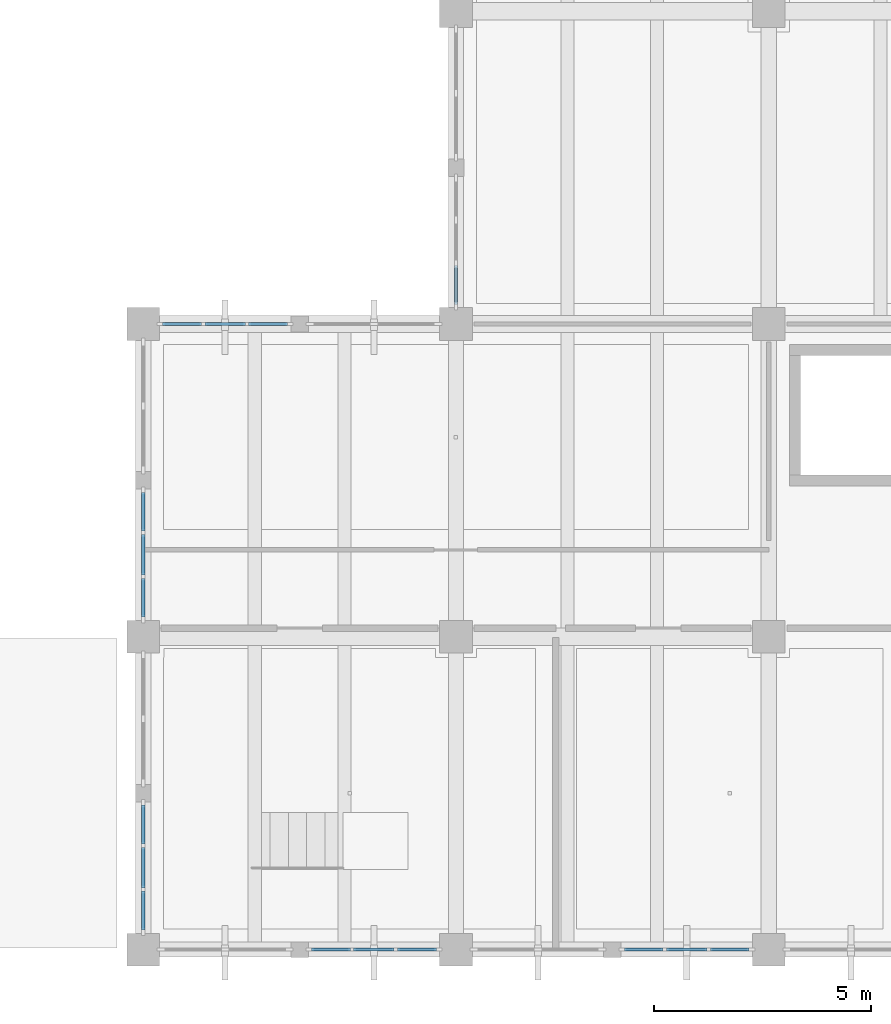
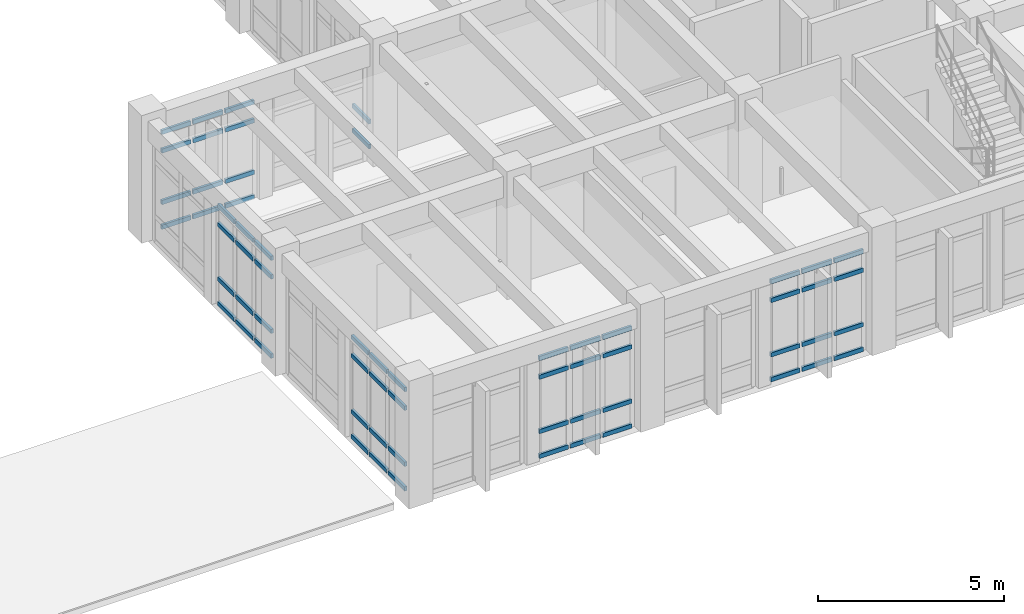
# One storey, part 70 of 136: 62 members, 6 elements without a shape of their own.
"""IFC4 building model written with IfcOpenShell, lengths in metres."""

import ifcopenshell
import ifcopenshell.guid

model = None  # the IFC model being written
_history = None  # IfcOwnerHistory: only IFC2X3 demands one
_inside = {}  # id of a spatial element -> (the spatial element, [elements in it])
_under = {}  # id of a project, library or spatial element -> (it, [spatial elements below it])
_declared = {}  # id of a project -> (the project, [libraries it declares])
_typed = {}  # id of a type object -> (the type object, [elements of that type])
_made_of = {}  # id of a material, layer set ... -> (it, [elements and type objects made of it])


def new_model(schema):
    """Start an empty IFC model of exactly this schema.

    Asked for "IFC4X3", IfcOpenShell would pick the latest addendum, in which some entities
    have other attributes; the version numbers below select the first issue.
    IFC2X3 requires an IfcOwnerHistory on every rooted entity: one is made here for all.
    """
    global model, _history
    if schema == "IFC4X3":
        model = ifcopenshell.file(schema_version=(4, 3, 0, 0))
    else:
        model = ifcopenshell.file(schema=schema)
    _inside.clear()
    _under.clear()
    _declared.clear()
    _typed.clear()
    _made_of.clear()
    _history = None
    if model.schema == "IFC2X3":
        org = make("IfcOrganization", Name="unknown")
        user = make(
            "IfcPersonAndOrganization",
            ThePerson=make("IfcPerson", FamilyName="unknown"),
            TheOrganization=org,
        )
        app = make(
            "IfcApplication",
            ApplicationDeveloper=org,
            Version="unknown",
            ApplicationFullName="unknown",
            ApplicationIdentifier="unknown",
        )
        _history = make(
            "IfcOwnerHistory",
            OwningUser=user,
            OwningApplication=app,
            ChangeAction="ADDED",
            CreationDate=0,
        )
    return model


def make(cls, **values):
    """One entity of the class cls with the attributes given. An attribute that is None is left unset."""
    return model.create_entity(
        cls, **{name: value for name, value in values.items() if value is not None}
    )


def rooted(cls, **values):
    """An entity with a GlobalId (a new one), such as an element, a storey or a relation."""
    return make(cls, GlobalId=ifcopenshell.guid.new(), OwnerHistory=_history, **values)


def si_unit(unit_type, name, prefix=None):
    """IfcSIUnit, for example si_unit("LENGTHUNIT", "METRE", prefix="MILLI")."""
    return make("IfcSIUnit", UnitType=unit_type, Prefix=prefix, Name=name)


def assignment(units):
    """IfcUnitAssignment: the units of a project."""
    return None if units is None else make("IfcUnitAssignment", Units=units)


def point(xyz):
    """IfcCartesianPoint."""
    return None if xyz is None else make("IfcCartesianPoint", Coordinates=xyz)


def direction(xyz):
    """IfcDirection."""
    return None if xyz is None else make("IfcDirection", DirectionRatios=xyz)


def frame(location, z_axis=None, x_axis=None):
    """IfcAxis2Placement3D, a coordinate frame: its origin and axes. An axis left out is left unset."""
    return make(
        "IfcAxis2Placement3D",
        Location=point(location),
        Axis=direction(z_axis),
        RefDirection=direction(x_axis),
    )


def frame_2d(location, x_axis=None):
    """IfcAxis2Placement2D, a coordinate frame in the plane: its origin and x axis."""
    return make(
        "IfcAxis2Placement2D", Location=point(location), RefDirection=direction(x_axis)
    )


def origin():
    """The frame at (0, 0, 0) with its axes left unset."""
    return frame((0.0, 0.0, 0.0))


def origin_2d():
    """The frame at (0, 0) in the plane with its x axis left unset."""
    return frame_2d((0.0, 0.0))


def place(relative_to, where):
    """IfcLocalPlacement: puts the frame where relative to a parent placement (None: the world)."""
    return make(
        "IfcLocalPlacement", PlacementRelTo=relative_to, RelativePlacement=where
    )


def context(
    kind, dimensions, precision=None, world=None, true_north=None, identifier=None
):
    """IfcGeometricRepresentationContext, for example the 3D "Model" context."""
    return make(
        "IfcGeometricRepresentationContext",
        ContextIdentifier=identifier,
        ContextType=kind,
        CoordinateSpaceDimension=dimensions,
        Precision=precision,
        WorldCoordinateSystem=world,
        TrueNorth=true_north,
    )


def subcontext(parent, identifier, kind, view, scale=None):
    """IfcGeometricRepresentationSubContext, for example "Body" below "Model"."""
    return make(
        "IfcGeometricRepresentationSubContext",
        ContextIdentifier=identifier,
        ContextType=kind,
        ParentContext=parent,
        TargetScale=scale,
        TargetView=view,
    )


def project(units=None, contexts=None):
    """IfcProject with its units and contexts."""
    return rooted(
        "IfcProject",
        Name="project",
        RepresentationContexts=contexts,
        UnitsInContext=assignment(units),
    )


def spatial(cls, under=None, at=None, **own):
    """A site, building, storey or space (cls), placed at a placement, below another one or the project."""
    s = rooted(cls, ObjectPlacement=at, **own)
    if under is not None:
        _under.setdefault(under.id(), (under, []))[1].append(s)
    return s


def profile(cls, at=None, kind="AREA", **sizes):
    """A parametric profile (cls). Its sizes go by their IFC names, for example OverallWidth=200.0."""
    return make(cls, ProfileType=kind, Position=at, **sizes)


def rectangle(**sizes):
    """IfcRectangleProfileDef."""
    return profile("IfcRectangleProfileDef", **sizes)


def extrude(swept, where, along, depth):
    """IfcExtrudedAreaSolid: the profile swept, set in the frame where, extruded along a direction by depth."""
    return make(
        "IfcExtrudedAreaSolid",
        SweptArea=swept,
        Position=where,
        ExtrudedDirection=direction(along),
        Depth=depth,
    )


def shape(context_of_items, identifier, shape_type, items):
    """IfcShapeRepresentation: the items that make up one representation, for example the "Body"."""
    return make(
        "IfcShapeRepresentation",
        ContextOfItems=context_of_items,
        RepresentationIdentifier=identifier,
        RepresentationType=shape_type,
        Items=items,
    )


def material(Name=None, Category=None):
    """IfcMaterial."""
    return make("IfcMaterial", Name=Name, Category=Category)


def layer(
    of_material, thickness, ventilated=None, Name=None, Category=None, Priority=None
):
    """IfcMaterialLayer: one layer of a wall or slab, of a material (None: an air gap)."""
    return make(
        "IfcMaterialLayer",
        Material=of_material,
        LayerThickness=thickness,
        IsVentilated=ventilated,
        Name=Name,
        Category=Category,
        Priority=Priority,
    )


def layer_set(layers, Name=None):
    """IfcMaterialLayerSet."""
    return make("IfcMaterialLayerSet", MaterialLayers=layers, LayerSetName=Name)


def material_profile(
    of_material, cross_section, Name=None, Category=None, Priority=None
):
    """IfcMaterialProfile: a cross section and its material."""
    return make(
        "IfcMaterialProfile",
        Name=Name,
        Material=of_material,
        Profile=cross_section,
        Priority=Priority,
        Category=Category,
    )


def profile_set(profiles, Name=None, composite=None):
    """IfcMaterialProfileSet."""
    return make(
        "IfcMaterialProfileSet",
        Name=Name,
        MaterialProfiles=profiles,
        CompositeProfile=composite,
    )


def made_of(thing, what):
    """Note that an element or type object is made of a material, layer set ...; save() writes the relation."""
    if what is not None:
        _made_of.setdefault(what.id(), (what, []))[1].append(thing)
    return thing


def type_object(cls, material=None, **own):
    """A type object (cls), such as IfcWallType, which elements share."""
    return made_of(rooted(cls, **own), material)


def element(
    cls,
    number,
    at=None,
    inside=None,
    cuts=None,
    type_object=None,
    material=None,
    context=None,
    identifier="Body",
    shape_type=None,
    held_by="IfcProductDefinitionShape",
    body=None,
    shapes=None,
    **own,
):
    """One element of the class cls, such as IfcWall. Its Tag is "e" and its number.

    at: its placement. inside: the storey or other place that contains it. cuts: it is an
    opening in that element (IfcRelVoidsElement). A single representation is given by context,
    identifier, shape_type and body (its items); several are given by shapes. held_by: the class
    of the entity that holds the representations. save() writes the other relations.
    """
    e = rooted(cls, Tag="e%d" % number, ObjectPlacement=at, **own)
    if body is not None:
        shapes = [shape(context, identifier, shape_type, body)]
    if shapes is not None:
        e.Representation = make(held_by, Representations=shapes)
    if inside is not None:
        _inside.setdefault(inside.id(), (inside, []))[1].append(e)
    if cuts is not None:
        rooted(
            "IfcRelVoidsElement", RelatingBuildingElement=cuts, RelatedOpeningElement=e
        )
    if type_object is not None:
        _typed.setdefault(type_object.id(), (type_object, []))[1].append(e)
    return made_of(e, material)


def aggregate(whole, parts):
    """IfcRelAggregates: a whole, such as a stair, and the parts it consists of."""
    return rooted("IfcRelAggregates", RelatingObject=whole, RelatedObjects=parts)


def save(model, path):
    """Write the relations noted so far, then the file.

    IfcRelAggregates (storeys below a building ...), IfcRelContainedInSpatialStructure (elements
    in a storey), IfcRelDefinesByType, IfcRelAssociatesMaterial and IfcRelDeclares: one each for
    every whole, place, type object, material and project.
    """
    for whole, parts in _under.values():
        aggregate(whole, parts)
    for where, things in _inside.values():
        rooted(
            "IfcRelContainedInSpatialStructure",
            RelatedElements=things,
            RelatingStructure=where,
        )
    for kind, things in _typed.values():
        rooted("IfcRelDefinesByType", RelatedObjects=things, RelatingType=kind)
    for what, things in _made_of.values():
        rooted("IfcRelAssociatesMaterial", RelatedObjects=things, RelatingMaterial=what)
    for by, libraries in _declared.values():
        rooted("IfcRelDeclares", RelatingContext=by, RelatedDefinitions=libraries)
    model.write(path)


model = new_model("IFC4")

# Units and contexts
model_context = context("Model", 3, precision=1e-05, world=origin(), true_north=direction((0.0, 1.0)))
body_context = subcontext(model_context, "Body", "Model", "MODEL_VIEW")
ifc_project = project(units=[si_unit("LENGTHUNIT", "METRE"), si_unit("AREAUNIT", "SQUARE_METRE"), si_unit("VOLUMEUNIT", "CUBIC_METRE"), si_unit("PLANEANGLEUNIT", "RADIAN"), si_unit("MASSUNIT", "GRAM", prefix="KILO")], contexts=[model_context])

# Site, building, storey
site_placement = place(None, origin())
site = spatial("IfcSite", under=ifc_project, at=site_placement, CompositionType="ELEMENT")
building_placement = place(site_placement, origin())
building = spatial("IfcBuilding", under=site, at=building_placement, Name="Koriwan Promenade Central Fire Station", CompositionType="ELEMENT")
storey_placement = place(building_placement, frame((0.0, 0.0, 5.39990234375)))
storey = spatial("IfcBuildingStorey", under=building, at=storey_placement, Name="L01", CompositionType="ELEMENT", Elevation=5.39990234375)

# Curtain wall, members
ifc_material_1 = material(Name="Aluminium EN AW-6063-T6 and low-E glazing", Category="aluminium")
ifc_layer_1 = layer(ifc_material_1, 0.159912109375, Name="Aluminium EN AW-6063-T6 and low-E glazing")
ifc_layer_set_1 = layer_set([ifc_layer_1], Name="Aluminium EN AW-6063-T6 and low-E glazing")
curtain_wall_type_1 = type_object("IfcCurtainWallType", Name="CurtainWall_61_303x329", PredefinedType="USERDEFINED", material=ifc_layer_set_1)
curtain_wall_1_placement = place(storey_placement, origin())
curtain_wall_1 = element("IfcCurtainWall", 1, at=curtain_wall_1_placement, inside=storey, type_object=curtain_wall_type_1, Name="V5 L01 unitised curtain wall 165", ObjectType="UNITISED CURTAIN WALL", PredefinedType="USERDEFINED")
ifc_material_2 = material(Name="Aluminium EN AW-6063-T6", Category="aluminium")
ifc_material_profile = material_profile(ifc_material_2, rectangle(XDim=0.074951171875, YDim=0.139892578125, at=origin_2d()), Name="ALU-TRN-75x140")
ifc_profile_set = profile_set([ifc_material_profile], Name="Aluminium EN AW-6063-T6")
member_type = type_object("IfcMemberType", Name="CWTransom_ALU-TRN-75x140", PredefinedType="USERDEFINED", material=ifc_profile_set)
member_1_placement = place(storey_placement, frame((157.949951171875, 0.0, 0.03759765625), z_axis=(-1.0, 0.0, 0.0), x_axis=(0.0, -1.0, 0.0)))
member_1 = element("IfcMember", 2, at=member_1_placement, type_object=member_type, Name="CW-61 transom 1.1", ObjectType="TRANSOM", PredefinedType="USERDEFINED", context=body_context, shape_type="SweptSolid", body=[
    extrude(rectangle(XDim=0.074951171875, YDim=0.139892578125, at=origin_2d()), origin(), (0.0, 0.0, 1.0), 0.895751953125),
])
member_2_placement = place(storey_placement, frame((157.949951171875, 0.0, 0.85009765625), z_axis=(-1.0, 0.0, 0.0), x_axis=(0.0, -1.0, 0.0)))
member_2 = element("IfcMember", 3, at=member_2_placement, type_object=member_type, Name="CW-61 transom 1.2", ObjectType="TRANSOM", PredefinedType="USERDEFINED", context=body_context, shape_type="SweptSolid", body=[
    extrude(rectangle(XDim=0.074951171875, YDim=0.139892578125, at=origin_2d()), origin(), (0.0, 0.0, 1.0), 0.895751953125),
])
member_3_placement = place(storey_placement, frame((157.949951171875, 0.0, 2.64013671875), z_axis=(-1.0, 0.0, 0.0), x_axis=(0.0, -1.0, 0.0)))
member_3 = element("IfcMember", 4, at=member_3_placement, type_object=member_type, Name="CW-61 transom 1.3", ObjectType="TRANSOM", PredefinedType="USERDEFINED", context=body_context, shape_type="SweptSolid", body=[
    extrude(rectangle(XDim=0.074951171875, YDim=0.139892578125, at=origin_2d()), origin(), (0.0, 0.0, 1.0), 0.895751953125),
])
member_4_placement = place(storey_placement, frame((157.949951171875, 0.0, 3.252685546875), z_axis=(-1.0, 0.0, 0.0), x_axis=(0.0, -1.0, 0.0)))
member_4 = element("IfcMember", 5, at=member_4_placement, type_object=member_type, Name="CW-61 transom 1.4", ObjectType="TRANSOM", PredefinedType="USERDEFINED", context=body_context, shape_type="SweptSolid", body=[
    extrude(rectangle(XDim=0.074951171875, YDim=0.139892578125, at=origin_2d()), origin(), (0.0, 0.0, 1.0), 0.895751953125),
])
member_5_placement = place(storey_placement, frame((156.979248046875, 0.0, 0.03759765625), z_axis=(-1.0, 0.0, 0.0), x_axis=(0.0, -1.0, 0.0)))
member_5 = element("IfcMember", 6, at=member_5_placement, type_object=member_type, Name="CW-61 transom 2.1", ObjectType="TRANSOM", PredefinedType="USERDEFINED", context=body_context, shape_type="SweptSolid", body=[
    extrude(rectangle(XDim=0.074951171875, YDim=0.139892578125, at=origin_2d()), origin(), (0.0, 0.0, 1.0), 0.933349609375),
])
member_6_placement = place(storey_placement, frame((156.979248046875, 0.0, 0.85009765625), z_axis=(-1.0, 0.0, 0.0), x_axis=(0.0, -1.0, 0.0)))
member_6 = element("IfcMember", 7, at=member_6_placement, type_object=member_type, Name="CW-61 transom 2.2", ObjectType="TRANSOM", PredefinedType="USERDEFINED", context=body_context, shape_type="SweptSolid", body=[
    extrude(rectangle(XDim=0.074951171875, YDim=0.139892578125, at=origin_2d()), origin(), (0.0, 0.0, 1.0), 0.933349609375),
])
member_7_placement = place(storey_placement, frame((156.979248046875, 0.0, 2.64013671875), z_axis=(-1.0, 0.0, 0.0), x_axis=(0.0, -1.0, 0.0)))
member_7 = element("IfcMember", 8, at=member_7_placement, type_object=member_type, Name="CW-61 transom 2.3", ObjectType="TRANSOM", PredefinedType="USERDEFINED", context=body_context, shape_type="SweptSolid", body=[
    extrude(rectangle(XDim=0.074951171875, YDim=0.139892578125, at=origin_2d()), origin(), (0.0, 0.0, 1.0), 0.933349609375),
])
member_8_placement = place(storey_placement, frame((156.979248046875, 0.0, 3.252685546875), z_axis=(-1.0, 0.0, 0.0), x_axis=(0.0, -1.0, 0.0)))
member_8 = element("IfcMember", 9, at=member_8_placement, type_object=member_type, Name="CW-61 transom 2.4", ObjectType="TRANSOM", PredefinedType="USERDEFINED", context=body_context, shape_type="SweptSolid", body=[
    extrude(rectangle(XDim=0.074951171875, YDim=0.139892578125, at=origin_2d()), origin(), (0.0, 0.0, 1.0), 0.933349609375),
])
member_9_placement = place(storey_placement, frame((155.970947265625, 0.0, 0.03759765625), z_axis=(-1.0, 0.0, 0.0), x_axis=(0.0, -1.0, 0.0)))
member_9 = element("IfcMember", 10, at=member_9_placement, type_object=member_type, Name="CW-61 transom 3.1", ObjectType="TRANSOM", PredefinedType="USERDEFINED", context=body_context, shape_type="SweptSolid", body=[
    extrude(rectangle(XDim=0.074951171875, YDim=0.139892578125, at=origin_2d()), origin(), (0.0, 0.0, 1.0), 0.89599609375),
])
member_10_placement = place(storey_placement, frame((155.970947265625, 0.0, 0.85009765625), z_axis=(-1.0, 0.0, 0.0), x_axis=(0.0, -1.0, 0.0)))
member_10 = element("IfcMember", 11, at=member_10_placement, type_object=member_type, Name="CW-61 transom 3.2", ObjectType="TRANSOM", PredefinedType="USERDEFINED", context=body_context, shape_type="SweptSolid", body=[
    extrude(rectangle(XDim=0.074951171875, YDim=0.139892578125, at=origin_2d()), origin(), (0.0, 0.0, 1.0), 0.89599609375),
])
member_11_placement = place(storey_placement, frame((155.970947265625, 0.0, 2.64013671875), z_axis=(-1.0, 0.0, 0.0), x_axis=(0.0, -1.0, 0.0)))
member_11 = element("IfcMember", 12, at=member_11_placement, type_object=member_type, Name="CW-61 transom 3.3", ObjectType="TRANSOM", PredefinedType="USERDEFINED", context=body_context, shape_type="SweptSolid", body=[
    extrude(rectangle(XDim=0.074951171875, YDim=0.139892578125, at=origin_2d()), origin(), (0.0, 0.0, 1.0), 0.89599609375),
])
member_12_placement = place(storey_placement, frame((155.970947265625, 0.0, 3.252685546875), z_axis=(-1.0, 0.0, 0.0), x_axis=(0.0, -1.0, 0.0)))
member_12 = element("IfcMember", 13, at=member_12_placement, type_object=member_type, Name="CW-61 transom 3.4", ObjectType="TRANSOM", PredefinedType="USERDEFINED", context=body_context, shape_type="SweptSolid", body=[
    extrude(rectangle(XDim=0.074951171875, YDim=0.139892578125, at=origin_2d()), origin(), (0.0, 0.0, 1.0), 0.89599609375),
])
aggregate(curtain_wall_1, [member_1, member_2, member_3, member_4, member_5, member_6, member_7, member_8, member_9, member_10, member_11, member_12])

ifc_layer_2 = layer(ifc_material_1, 0.159912109375, Name="Aluminium EN AW-6063-T6 and low-E glazing")
ifc_layer_set_2 = layer_set([ifc_layer_2], Name="Aluminium EN AW-6063-T6 and low-E glazing")
curtain_wall_type_2 = type_object("IfcCurtainWallType", Name="CurtainWall_62_302x329", PredefinedType="USERDEFINED", material=ifc_layer_set_2)
curtain_wall_2_placement = place(storey_placement, origin())
curtain_wall_2 = element("IfcCurtainWall", 14, at=curtain_wall_2_placement, inside=storey, type_object=curtain_wall_type_2, Name="V5 L01 unitised curtain wall 167", ObjectType="UNITISED CURTAIN WALL", PredefinedType="USERDEFINED")
member_13_placement = place(storey_placement, frame((150.75, 0.0, 0.03759765625), z_axis=(-1.0, 0.0, 0.0), x_axis=(0.0, -1.0, 0.0)))
member_13 = element("IfcMember", 15, at=member_13_placement, type_object=member_type, Name="CW-62 transom 1.1", ObjectType="TRANSOM", PredefinedType="USERDEFINED", context=body_context, shape_type="SweptSolid", body=[
    extrude(rectangle(XDim=0.074951171875, YDim=0.139892578125, at=origin_2d()), origin(), (0.0, 0.0, 1.0), 0.895751953125),
])
member_14_placement = place(storey_placement, frame((150.75, 0.0, 0.85009765625), z_axis=(-1.0, 0.0, 0.0), x_axis=(0.0, -1.0, 0.0)))
member_14 = element("IfcMember", 16, at=member_14_placement, type_object=member_type, Name="CW-62 transom 1.2", ObjectType="TRANSOM", PredefinedType="USERDEFINED", context=body_context, shape_type="SweptSolid", body=[
    extrude(rectangle(XDim=0.074951171875, YDim=0.139892578125, at=origin_2d()), origin(), (0.0, 0.0, 1.0), 0.895751953125),
])
member_15_placement = place(storey_placement, frame((150.75, 0.0, 2.64013671875), z_axis=(-1.0, 0.0, 0.0), x_axis=(0.0, -1.0, 0.0)))
member_15 = element("IfcMember", 17, at=member_15_placement, type_object=member_type, Name="CW-62 transom 1.3", ObjectType="TRANSOM", PredefinedType="USERDEFINED", context=body_context, shape_type="SweptSolid", body=[
    extrude(rectangle(XDim=0.074951171875, YDim=0.139892578125, at=origin_2d()), origin(), (0.0, 0.0, 1.0), 0.895751953125),
])
member_16_placement = place(storey_placement, frame((150.75, 0.0, 3.252685546875), z_axis=(-1.0, 0.0, 0.0), x_axis=(0.0, -1.0, 0.0)))
member_16 = element("IfcMember", 18, at=member_16_placement, type_object=member_type, Name="CW-62 transom 1.4", ObjectType="TRANSOM", PredefinedType="USERDEFINED", context=body_context, shape_type="SweptSolid", body=[
    extrude(rectangle(XDim=0.074951171875, YDim=0.139892578125, at=origin_2d()), origin(), (0.0, 0.0, 1.0), 0.895751953125),
])
member_17_placement = place(storey_placement, frame((149.779052734375, 0.0, 0.03759765625), z_axis=(-1.0, 0.0, 0.0), x_axis=(0.0, -1.0, 0.0)))
member_17 = element("IfcMember", 19, at=member_17_placement, type_object=member_type, Name="CW-62 transom 2.1", ObjectType="TRANSOM", PredefinedType="USERDEFINED", context=body_context, shape_type="SweptSolid", body=[
    extrude(rectangle(XDim=0.074951171875, YDim=0.139892578125, at=origin_2d()), origin(), (0.0, 0.0, 1.0), 0.93310546875),
])
member_18_placement = place(storey_placement, frame((149.779052734375, 0.0, 0.85009765625), z_axis=(-1.0, 0.0, 0.0), x_axis=(0.0, -1.0, 0.0)))
member_18 = element("IfcMember", 20, at=member_18_placement, type_object=member_type, Name="CW-62 transom 2.2", ObjectType="TRANSOM", PredefinedType="USERDEFINED", context=body_context, shape_type="SweptSolid", body=[
    extrude(rectangle(XDim=0.074951171875, YDim=0.139892578125, at=origin_2d()), origin(), (0.0, 0.0, 1.0), 0.93310546875),
])
member_19_placement = place(storey_placement, frame((149.779052734375, 0.0, 2.64013671875), z_axis=(-1.0, 0.0, 0.0), x_axis=(0.0, -1.0, 0.0)))
member_19 = element("IfcMember", 21, at=member_19_placement, type_object=member_type, Name="CW-62 transom 2.3", ObjectType="TRANSOM", PredefinedType="USERDEFINED", context=body_context, shape_type="SweptSolid", body=[
    extrude(rectangle(XDim=0.074951171875, YDim=0.139892578125, at=origin_2d()), origin(), (0.0, 0.0, 1.0), 0.93310546875),
])
member_20_placement = place(storey_placement, frame((149.779052734375, 0.0, 3.252685546875), z_axis=(-1.0, 0.0, 0.0), x_axis=(0.0, -1.0, 0.0)))
member_20 = element("IfcMember", 22, at=member_20_placement, type_object=member_type, Name="CW-62 transom 2.4", ObjectType="TRANSOM", PredefinedType="USERDEFINED", context=body_context, shape_type="SweptSolid", body=[
    extrude(rectangle(XDim=0.074951171875, YDim=0.139892578125, at=origin_2d()), origin(), (0.0, 0.0, 1.0), 0.93310546875),
])
member_21_placement = place(storey_placement, frame((148.770751953125, 0.0, 0.03759765625), z_axis=(-1.0, 0.0, 0.0), x_axis=(0.0, -1.0, 0.0)))
member_21 = element("IfcMember", 23, at=member_21_placement, type_object=member_type, Name="CW-62 transom 3.1", ObjectType="TRANSOM", PredefinedType="USERDEFINED", context=body_context, shape_type="SweptSolid", body=[
    extrude(rectangle(XDim=0.074951171875, YDim=0.139892578125, at=origin_2d()), origin(), (0.0, 0.0, 1.0), 0.895751953125),
])
member_22_placement = place(storey_placement, frame((148.770751953125, 0.0, 0.85009765625), z_axis=(-1.0, 0.0, 0.0), x_axis=(0.0, -1.0, 0.0)))
member_22 = element("IfcMember", 24, at=member_22_placement, type_object=member_type, Name="CW-62 transom 3.2", ObjectType="TRANSOM", PredefinedType="USERDEFINED", context=body_context, shape_type="SweptSolid", body=[
    extrude(rectangle(XDim=0.074951171875, YDim=0.139892578125, at=origin_2d()), origin(), (0.0, 0.0, 1.0), 0.895751953125),
])
member_23_placement = place(storey_placement, frame((148.770751953125, 0.0, 2.64013671875), z_axis=(-1.0, 0.0, 0.0), x_axis=(0.0, -1.0, 0.0)))
member_23 = element("IfcMember", 25, at=member_23_placement, type_object=member_type, Name="CW-62 transom 3.3", ObjectType="TRANSOM", PredefinedType="USERDEFINED", context=body_context, shape_type="SweptSolid", body=[
    extrude(rectangle(XDim=0.074951171875, YDim=0.139892578125, at=origin_2d()), origin(), (0.0, 0.0, 1.0), 0.895751953125),
])
member_24_placement = place(storey_placement, frame((148.770751953125, 0.0, 3.252685546875), z_axis=(-1.0, 0.0, 0.0), x_axis=(0.0, -1.0, 0.0)))
member_24 = element("IfcMember", 26, at=member_24_placement, type_object=member_type, Name="CW-62 transom 3.4", ObjectType="TRANSOM", PredefinedType="USERDEFINED", context=body_context, shape_type="SweptSolid", body=[
    extrude(rectangle(XDim=0.074951171875, YDim=0.139892578125, at=origin_2d()), origin(), (0.0, 0.0, 1.0), 0.895751953125),
])
aggregate(curtain_wall_2, [member_13, member_14, member_15, member_16, member_17, member_18, member_19, member_20, member_21, member_22, member_23, member_24])

ifc_layer_3 = layer(ifc_material_1, 0.159912109375, Name="Aluminium EN AW-6063-T6 and low-E glazing")
ifc_layer_set_3 = layer_set([ifc_layer_3], Name="Aluminium EN AW-6063-T6 and low-E glazing")
curtain_wall_type_3 = type_object("IfcCurtainWallType", Name="CurtainWall_63_302x334", PredefinedType="USERDEFINED", material=ifc_layer_set_3)
curtain_wall_3_placement = place(storey_placement, origin())
curtain_wall_3 = element("IfcCurtainWall", 27, at=curtain_wall_3_placement, inside=storey, type_object=curtain_wall_type_3, Name="V5 L01 unitised curtain wall 169", ObjectType="UNITISED CURTAIN WALL", PredefinedType="USERDEFINED")
member_25_placement = place(storey_placement, frame((144.0, 0.449951171875, 0.03759765625), z_axis=(0.0, 1.0, 0.0), x_axis=(-1.0, 0.0, 0.0)))
member_25 = element("IfcMember", 28, at=member_25_placement, type_object=member_type, Name="CW-63 transom 1.1", ObjectType="TRANSOM", PredefinedType="USERDEFINED", context=body_context, shape_type="SweptSolid", body=[
    extrude(rectangle(XDim=0.074951171875, YDim=0.139892578125, at=origin_2d()), origin(), (0.0, 0.0, 1.0), 0.89599609375),
])
member_26_placement = place(storey_placement, frame((144.0, 0.449951171875, 0.85009765625), z_axis=(0.0, 1.0, 0.0), x_axis=(-1.0, 0.0, 0.0)))
member_26 = element("IfcMember", 29, at=member_26_placement, type_object=member_type, Name="CW-63 transom 1.2", ObjectType="TRANSOM", PredefinedType="USERDEFINED", context=body_context, shape_type="SweptSolid", body=[
    extrude(rectangle(XDim=0.074951171875, YDim=0.139892578125, at=origin_2d()), origin(), (0.0, 0.0, 1.0), 0.89599609375),
])
member_27_placement = place(storey_placement, frame((144.0, 0.449951171875, 2.690185546875), z_axis=(0.0, 1.0, 0.0), x_axis=(-1.0, 0.0, 0.0)))
member_27 = element("IfcMember", 30, at=member_27_placement, type_object=member_type, Name="CW-63 transom 1.3", ObjectType="TRANSOM", PredefinedType="USERDEFINED", context=body_context, shape_type="SweptSolid", body=[
    extrude(rectangle(XDim=0.074951171875, YDim=0.139892578125, at=origin_2d()), origin(), (0.0, 0.0, 1.0), 0.89599609375),
])
member_28_placement = place(storey_placement, frame((144.0, 0.449951171875, 3.302490234375), z_axis=(0.0, 1.0, 0.0), x_axis=(-1.0, 0.0, 0.0)))
member_28 = element("IfcMember", 31, at=member_28_placement, type_object=member_type, Name="CW-63 transom 1.4", ObjectType="TRANSOM", PredefinedType="USERDEFINED", context=body_context, shape_type="SweptSolid", body=[
    extrude(rectangle(XDim=0.074951171875, YDim=0.139892578125, at=origin_2d()), origin(), (0.0, 0.0, 1.0), 0.89599609375),
])
member_29_placement = place(storey_placement, frame((144.0, 1.4208984375, 0.03759765625), z_axis=(0.0, 1.0, 0.0), x_axis=(-1.0, 0.0, 0.0)))
member_29 = element("IfcMember", 32, at=member_29_placement, type_object=member_type, Name="CW-63 transom 2.1", ObjectType="TRANSOM", PredefinedType="USERDEFINED", context=body_context, shape_type="SweptSolid", body=[
    extrude(rectangle(XDim=0.074951171875, YDim=0.139892578125, at=origin_2d()), origin(), (0.0, 0.0, 1.0), 0.933349609375),
])
member_30_placement = place(storey_placement, frame((144.0, 1.4208984375, 0.85009765625), z_axis=(0.0, 1.0, 0.0), x_axis=(-1.0, 0.0, 0.0)))
member_30 = element("IfcMember", 33, at=member_30_placement, type_object=member_type, Name="CW-63 transom 2.2", ObjectType="TRANSOM", PredefinedType="USERDEFINED", context=body_context, shape_type="SweptSolid", body=[
    extrude(rectangle(XDim=0.074951171875, YDim=0.139892578125, at=origin_2d()), origin(), (0.0, 0.0, 1.0), 0.933349609375),
])
member_31_placement = place(storey_placement, frame((144.0, 1.4208984375, 2.690185546875), z_axis=(0.0, 1.0, 0.0), x_axis=(-1.0, 0.0, 0.0)))
member_31 = element("IfcMember", 34, at=member_31_placement, type_object=member_type, Name="CW-63 transom 2.3", ObjectType="TRANSOM", PredefinedType="USERDEFINED", context=body_context, shape_type="SweptSolid", body=[
    extrude(rectangle(XDim=0.074951171875, YDim=0.139892578125, at=origin_2d()), origin(), (0.0, 0.0, 1.0), 0.933349609375),
])
member_32_placement = place(storey_placement, frame((144.0, 1.4208984375, 3.302490234375), z_axis=(0.0, 1.0, 0.0), x_axis=(-1.0, 0.0, 0.0)))
member_32 = element("IfcMember", 35, at=member_32_placement, type_object=member_type, Name="CW-63 transom 2.4", ObjectType="TRANSOM", PredefinedType="USERDEFINED", context=body_context, shape_type="SweptSolid", body=[
    extrude(rectangle(XDim=0.074951171875, YDim=0.139892578125, at=origin_2d()), origin(), (0.0, 0.0, 1.0), 0.933349609375),
])
member_33_placement = place(storey_placement, frame((144.0, 2.42919921875, 0.03759765625), z_axis=(0.0, 1.0, 0.0), x_axis=(-1.0, 0.0, 0.0)))
member_33 = element("IfcMember", 36, at=member_33_placement, type_object=member_type, Name="CW-63 transom 3.1", ObjectType="TRANSOM", PredefinedType="USERDEFINED", context=body_context, shape_type="SweptSolid", body=[
    extrude(rectangle(XDim=0.074951171875, YDim=0.139892578125, at=origin_2d()), origin(), (0.0, 0.0, 1.0), 0.895751953125),
])
member_34_placement = place(storey_placement, frame((144.0, 2.42919921875, 0.85009765625), z_axis=(0.0, 1.0, 0.0), x_axis=(-1.0, 0.0, 0.0)))
member_34 = element("IfcMember", 37, at=member_34_placement, type_object=member_type, Name="CW-63 transom 3.2", ObjectType="TRANSOM", PredefinedType="USERDEFINED", context=body_context, shape_type="SweptSolid", body=[
    extrude(rectangle(XDim=0.074951171875, YDim=0.139892578125, at=origin_2d()), origin(), (0.0, 0.0, 1.0), 0.895751953125),
])
member_35_placement = place(storey_placement, frame((144.0, 2.42919921875, 2.690185546875), z_axis=(0.0, 1.0, 0.0), x_axis=(-1.0, 0.0, 0.0)))
member_35 = element("IfcMember", 38, at=member_35_placement, type_object=member_type, Name="CW-63 transom 3.3", ObjectType="TRANSOM", PredefinedType="USERDEFINED", context=body_context, shape_type="SweptSolid", body=[
    extrude(rectangle(XDim=0.074951171875, YDim=0.139892578125, at=origin_2d()), origin(), (0.0, 0.0, 1.0), 0.895751953125),
])
member_36_placement = place(storey_placement, frame((144.0, 2.42919921875, 3.302490234375), z_axis=(0.0, 1.0, 0.0), x_axis=(-1.0, 0.0, 0.0)))
member_36 = element("IfcMember", 39, at=member_36_placement, type_object=member_type, Name="CW-63 transom 3.4", ObjectType="TRANSOM", PredefinedType="USERDEFINED", context=body_context, shape_type="SweptSolid", body=[
    extrude(rectangle(XDim=0.074951171875, YDim=0.139892578125, at=origin_2d()), origin(), (0.0, 0.0, 1.0), 0.895751953125),
])
aggregate(curtain_wall_3, [member_25, member_26, member_27, member_28, member_29, member_30, member_31, member_32, member_33, member_34, member_35, member_36])

curtain_wall_4_placement = place(storey_placement, origin())
curtain_wall_4 = element("IfcCurtainWall", 40, at=curtain_wall_4_placement, inside=storey, type_object=curtain_wall_type_2, Name="V5 L01 unitised curtain wall 171", ObjectType="UNITISED CURTAIN WALL", PredefinedType="USERDEFINED")
member_37_placement = place(storey_placement, frame((144.0, 7.64990234375, 0.03759765625), z_axis=(0.0, 1.0, 0.0), x_axis=(-1.0, 0.0, 0.0)))
member_37 = element("IfcMember", 41, at=member_37_placement, type_object=member_type, Name="CW-62 transom 1.1", ObjectType="TRANSOM", PredefinedType="USERDEFINED", context=body_context, shape_type="SweptSolid", body=[
    extrude(rectangle(XDim=0.074951171875, YDim=0.139892578125, at=origin_2d()), origin(), (0.0, 0.0, 1.0), 0.89599609375),
])
member_38_placement = place(storey_placement, frame((144.0, 7.64990234375, 0.85009765625), z_axis=(0.0, 1.0, 0.0), x_axis=(-1.0, 0.0, 0.0)))
member_38 = element("IfcMember", 42, at=member_38_placement, type_object=member_type, Name="CW-62 transom 1.2", ObjectType="TRANSOM", PredefinedType="USERDEFINED", context=body_context, shape_type="SweptSolid", body=[
    extrude(rectangle(XDim=0.074951171875, YDim=0.139892578125, at=origin_2d()), origin(), (0.0, 0.0, 1.0), 0.89599609375),
])
member_39_placement = place(storey_placement, frame((144.0, 7.64990234375, 2.64013671875), z_axis=(0.0, 1.0, 0.0), x_axis=(-1.0, 0.0, 0.0)))
member_39 = element("IfcMember", 43, at=member_39_placement, type_object=member_type, Name="CW-62 transom 1.3", ObjectType="TRANSOM", PredefinedType="USERDEFINED", context=body_context, shape_type="SweptSolid", body=[
    extrude(rectangle(XDim=0.074951171875, YDim=0.139892578125, at=origin_2d()), origin(), (0.0, 0.0, 1.0), 0.89599609375),
])
member_40_placement = place(storey_placement, frame((144.0, 7.64990234375, 3.252685546875), z_axis=(0.0, 1.0, 0.0), x_axis=(-1.0, 0.0, 0.0)))
member_40 = element("IfcMember", 44, at=member_40_placement, type_object=member_type, Name="CW-62 transom 1.4", ObjectType="TRANSOM", PredefinedType="USERDEFINED", context=body_context, shape_type="SweptSolid", body=[
    extrude(rectangle(XDim=0.074951171875, YDim=0.139892578125, at=origin_2d()), origin(), (0.0, 0.0, 1.0), 0.89599609375),
])
member_41_placement = place(storey_placement, frame((144.0, 8.620849609375, 0.03759765625), z_axis=(0.0, 1.0, 0.0), x_axis=(-1.0, 0.0, 0.0)))
member_41 = element("IfcMember", 45, at=member_41_placement, type_object=member_type, Name="CW-62 transom 2.1", ObjectType="TRANSOM", PredefinedType="USERDEFINED", context=body_context, shape_type="SweptSolid", body=[
    extrude(rectangle(XDim=0.074951171875, YDim=0.139892578125, at=origin_2d()), origin(), (0.0, 0.0, 1.0), 0.933349609375),
])
member_42_placement = place(storey_placement, frame((144.0, 8.620849609375, 0.85009765625), z_axis=(0.0, 1.0, 0.0), x_axis=(-1.0, 0.0, 0.0)))
member_42 = element("IfcMember", 46, at=member_42_placement, type_object=member_type, Name="CW-62 transom 2.2", ObjectType="TRANSOM", PredefinedType="USERDEFINED", context=body_context, shape_type="SweptSolid", body=[
    extrude(rectangle(XDim=0.074951171875, YDim=0.139892578125, at=origin_2d()), origin(), (0.0, 0.0, 1.0), 0.933349609375),
])
member_43_placement = place(storey_placement, frame((144.0, 8.620849609375, 2.64013671875), z_axis=(0.0, 1.0, 0.0), x_axis=(-1.0, 0.0, 0.0)))
member_43 = element("IfcMember", 47, at=member_43_placement, type_object=member_type, Name="CW-62 transom 2.3", ObjectType="TRANSOM", PredefinedType="USERDEFINED", context=body_context, shape_type="SweptSolid", body=[
    extrude(rectangle(XDim=0.074951171875, YDim=0.139892578125, at=origin_2d()), origin(), (0.0, 0.0, 1.0), 0.933349609375),
])
member_44_placement = place(storey_placement, frame((144.0, 8.620849609375, 3.252685546875), z_axis=(0.0, 1.0, 0.0), x_axis=(-1.0, 0.0, 0.0)))
member_44 = element("IfcMember", 48, at=member_44_placement, type_object=member_type, Name="CW-62 transom 2.4", ObjectType="TRANSOM", PredefinedType="USERDEFINED", context=body_context, shape_type="SweptSolid", body=[
    extrude(rectangle(XDim=0.074951171875, YDim=0.139892578125, at=origin_2d()), origin(), (0.0, 0.0, 1.0), 0.933349609375),
])
member_45_placement = place(storey_placement, frame((144.0, 9.629150390625, 0.03759765625), z_axis=(0.0, 1.0, 0.0), x_axis=(-1.0, 0.0, 0.0)))
member_45 = element("IfcMember", 49, at=member_45_placement, type_object=member_type, Name="CW-62 transom 3.1", ObjectType="TRANSOM", PredefinedType="USERDEFINED", context=body_context, shape_type="SweptSolid", body=[
    extrude(rectangle(XDim=0.074951171875, YDim=0.139892578125, at=origin_2d()), origin(), (0.0, 0.0, 1.0), 0.895751953125),
])
member_46_placement = place(storey_placement, frame((144.0, 9.629150390625, 0.85009765625), z_axis=(0.0, 1.0, 0.0), x_axis=(-1.0, 0.0, 0.0)))
member_46 = element("IfcMember", 50, at=member_46_placement, type_object=member_type, Name="CW-62 transom 3.2", ObjectType="TRANSOM", PredefinedType="USERDEFINED", context=body_context, shape_type="SweptSolid", body=[
    extrude(rectangle(XDim=0.074951171875, YDim=0.139892578125, at=origin_2d()), origin(), (0.0, 0.0, 1.0), 0.895751953125),
])
member_47_placement = place(storey_placement, frame((144.0, 9.629150390625, 2.64013671875), z_axis=(0.0, 1.0, 0.0), x_axis=(-1.0, 0.0, 0.0)))
member_47 = element("IfcMember", 51, at=member_47_placement, type_object=member_type, Name="CW-62 transom 3.3", ObjectType="TRANSOM", PredefinedType="USERDEFINED", context=body_context, shape_type="SweptSolid", body=[
    extrude(rectangle(XDim=0.074951171875, YDim=0.139892578125, at=origin_2d()), origin(), (0.0, 0.0, 1.0), 0.895751953125),
])
member_48_placement = place(storey_placement, frame((144.0, 9.629150390625, 3.252685546875), z_axis=(0.0, 1.0, 0.0), x_axis=(-1.0, 0.0, 0.0)))
member_48 = element("IfcMember", 52, at=member_48_placement, type_object=member_type, Name="CW-62 transom 3.4", ObjectType="TRANSOM", PredefinedType="USERDEFINED", context=body_context, shape_type="SweptSolid", body=[
    extrude(rectangle(XDim=0.074951171875, YDim=0.139892578125, at=origin_2d()), origin(), (0.0, 0.0, 1.0), 0.895751953125),
])
aggregate(curtain_wall_4, [member_37, member_38, member_39, member_40, member_41, member_42, member_43, member_44, member_45, member_46, member_47, member_48])

ifc_layer_4 = layer(ifc_material_1, 0.159912109375, Name="Aluminium EN AW-6063-T6 and low-E glazing")
ifc_layer_set_4 = layer_set([ifc_layer_4], Name="Aluminium EN AW-6063-T6 and low-E glazing")
curtain_wall_type_4 = type_object("IfcCurtainWallType", Name="CurtainWall_65_303x319", PredefinedType="USERDEFINED", material=ifc_layer_set_4)
curtain_wall_5_placement = place(storey_placement, origin())
curtain_wall_5 = element("IfcCurtainWall", 53, at=curtain_wall_5_placement, inside=storey, type_object=curtain_wall_type_4, Name="V5 L01 unitised curtain wall 173", ObjectType="UNITISED CURTAIN WALL", PredefinedType="USERDEFINED")
member_49_placement = place(storey_placement, frame((144.449951171875, 14.39990234375, 0.03759765625), z_axis=(1.0, 0.0, 0.0), x_axis=(0.0, 1.0, 0.0)))
member_49 = element("IfcMember", 54, at=member_49_placement, type_object=member_type, Name="CW-65 transom 1.1", ObjectType="TRANSOM", PredefinedType="USERDEFINED", context=body_context, shape_type="SweptSolid", body=[
    extrude(rectangle(XDim=0.074951171875, YDim=0.139892578125, at=origin_2d()), origin(), (0.0, 0.0, 1.0), 0.89599609375),
])
member_50_placement = place(storey_placement, frame((144.449951171875, 14.39990234375, 0.85009765625), z_axis=(1.0, 0.0, 0.0), x_axis=(0.0, 1.0, 0.0)))
member_50 = element("IfcMember", 55, at=member_50_placement, type_object=member_type, Name="CW-65 transom 1.2", ObjectType="TRANSOM", PredefinedType="USERDEFINED", context=body_context, shape_type="SweptSolid", body=[
    extrude(rectangle(XDim=0.074951171875, YDim=0.139892578125, at=origin_2d()), origin(), (0.0, 0.0, 1.0), 0.89599609375),
])
member_51_placement = place(storey_placement, frame((144.449951171875, 14.39990234375, 2.5400390625), z_axis=(1.0, 0.0, 0.0), x_axis=(0.0, 1.0, 0.0)))
member_51 = element("IfcMember", 56, at=member_51_placement, type_object=member_type, Name="CW-65 transom 1.3", ObjectType="TRANSOM", PredefinedType="USERDEFINED", context=body_context, shape_type="SweptSolid", body=[
    extrude(rectangle(XDim=0.074951171875, YDim=0.139892578125, at=origin_2d()), origin(), (0.0, 0.0, 1.0), 0.89599609375),
])
member_52_placement = place(storey_placement, frame((144.449951171875, 14.39990234375, 3.152587890625), z_axis=(1.0, 0.0, 0.0), x_axis=(0.0, 1.0, 0.0)))
member_52 = element("IfcMember", 57, at=member_52_placement, type_object=member_type, Name="CW-65 transom 1.4", ObjectType="TRANSOM", PredefinedType="USERDEFINED", context=body_context, shape_type="SweptSolid", body=[
    extrude(rectangle(XDim=0.074951171875, YDim=0.139892578125, at=origin_2d()), origin(), (0.0, 0.0, 1.0), 0.89599609375),
])
member_53_placement = place(storey_placement, frame((145.4208984375, 14.39990234375, 0.03759765625), z_axis=(1.0, 0.0, 0.0), x_axis=(0.0, 1.0, 0.0)))
member_53 = element("IfcMember", 58, at=member_53_placement, type_object=member_type, Name="CW-65 transom 2.1", ObjectType="TRANSOM", PredefinedType="USERDEFINED", context=body_context, shape_type="SweptSolid", body=[
    extrude(rectangle(XDim=0.074951171875, YDim=0.139892578125, at=origin_2d()), origin(), (0.0, 0.0, 1.0), 0.933349609375),
])
member_54_placement = place(storey_placement, frame((145.4208984375, 14.39990234375, 0.85009765625), z_axis=(1.0, 0.0, 0.0), x_axis=(0.0, 1.0, 0.0)))
member_54 = element("IfcMember", 59, at=member_54_placement, type_object=member_type, Name="CW-65 transom 2.2", ObjectType="TRANSOM", PredefinedType="USERDEFINED", context=body_context, shape_type="SweptSolid", body=[
    extrude(rectangle(XDim=0.074951171875, YDim=0.139892578125, at=origin_2d()), origin(), (0.0, 0.0, 1.0), 0.933349609375),
])
member_55_placement = place(storey_placement, frame((145.4208984375, 14.39990234375, 2.5400390625), z_axis=(1.0, 0.0, 0.0), x_axis=(0.0, 1.0, 0.0)))
member_55 = element("IfcMember", 60, at=member_55_placement, type_object=member_type, Name="CW-65 transom 2.3", ObjectType="TRANSOM", PredefinedType="USERDEFINED", context=body_context, shape_type="SweptSolid", body=[
    extrude(rectangle(XDim=0.074951171875, YDim=0.139892578125, at=origin_2d()), origin(), (0.0, 0.0, 1.0), 0.933349609375),
])
member_56_placement = place(storey_placement, frame((145.4208984375, 14.39990234375, 3.152587890625), z_axis=(1.0, 0.0, 0.0), x_axis=(0.0, 1.0, 0.0)))
member_56 = element("IfcMember", 61, at=member_56_placement, type_object=member_type, Name="CW-65 transom 2.4", ObjectType="TRANSOM", PredefinedType="USERDEFINED", context=body_context, shape_type="SweptSolid", body=[
    extrude(rectangle(XDim=0.074951171875, YDim=0.139892578125, at=origin_2d()), origin(), (0.0, 0.0, 1.0), 0.933349609375),
])
member_57_placement = place(storey_placement, frame((146.42919921875, 14.39990234375, 0.03759765625), z_axis=(1.0, 0.0, 0.0), x_axis=(0.0, 1.0, 0.0)))
member_57 = element("IfcMember", 62, at=member_57_placement, type_object=member_type, Name="CW-65 transom 3.1", ObjectType="TRANSOM", PredefinedType="USERDEFINED", context=body_context, shape_type="SweptSolid", body=[
    extrude(rectangle(XDim=0.074951171875, YDim=0.139892578125, at=origin_2d()), origin(), (0.0, 0.0, 1.0), 0.895751953125),
])
member_58_placement = place(storey_placement, frame((146.42919921875, 14.39990234375, 0.85009765625), z_axis=(1.0, 0.0, 0.0), x_axis=(0.0, 1.0, 0.0)))
member_58 = element("IfcMember", 63, at=member_58_placement, type_object=member_type, Name="CW-65 transom 3.2", ObjectType="TRANSOM", PredefinedType="USERDEFINED", context=body_context, shape_type="SweptSolid", body=[
    extrude(rectangle(XDim=0.074951171875, YDim=0.139892578125, at=origin_2d()), origin(), (0.0, 0.0, 1.0), 0.895751953125),
])
member_59_placement = place(storey_placement, frame((146.42919921875, 14.39990234375, 2.5400390625), z_axis=(1.0, 0.0, 0.0), x_axis=(0.0, 1.0, 0.0)))
member_59 = element("IfcMember", 64, at=member_59_placement, type_object=member_type, Name="CW-65 transom 3.3", ObjectType="TRANSOM", PredefinedType="USERDEFINED", context=body_context, shape_type="SweptSolid", body=[
    extrude(rectangle(XDim=0.074951171875, YDim=0.139892578125, at=origin_2d()), origin(), (0.0, 0.0, 1.0), 0.895751953125),
])
member_60_placement = place(storey_placement, frame((146.42919921875, 14.39990234375, 3.152587890625), z_axis=(1.0, 0.0, 0.0), x_axis=(0.0, 1.0, 0.0)))
member_60 = element("IfcMember", 65, at=member_60_placement, type_object=member_type, Name="CW-65 transom 3.4", ObjectType="TRANSOM", PredefinedType="USERDEFINED", context=body_context, shape_type="SweptSolid", body=[
    extrude(rectangle(XDim=0.074951171875, YDim=0.139892578125, at=origin_2d()), origin(), (0.0, 0.0, 1.0), 0.895751953125),
])
aggregate(curtain_wall_5, [member_49, member_50, member_51, member_52, member_53, member_54, member_55, member_56, member_57, member_58, member_59, member_60])

ifc_layer_5 = layer(ifc_material_1, 0.159912109375, Name="Aluminium EN AW-6063-T6 and low-E glazing")
ifc_layer_set_5 = layer_set([ifc_layer_5], Name="Aluminium EN AW-6063-T6 and low-E glazing")
curtain_wall_type_5 = type_object("IfcCurtainWallType", Name="CurtainWall_67_303x334", PredefinedType="USERDEFINED", material=ifc_layer_set_5)
curtain_wall_6_placement = place(storey_placement, origin())
curtain_wall_6 = element("IfcCurtainWall", 66, at=curtain_wall_6_placement, inside=storey, type_object=curtain_wall_type_5, Name="V5 L01 unitised curtain wall 175", ObjectType="UNITISED CURTAIN WALL", PredefinedType="USERDEFINED")
member_61_placement = place(storey_placement, frame((151.199951171875, 14.85009765625, 0.03759765625), z_axis=(0.0, 1.0, 0.0), x_axis=(-1.0, 0.0, 0.0)))
member_61 = element("IfcMember", 67, at=member_61_placement, type_object=member_type, Name="CW-67 transom 1.1", ObjectType="TRANSOM", PredefinedType="USERDEFINED", context=body_context, shape_type="SweptSolid", body=[
    extrude(rectangle(XDim=0.074951171875, YDim=0.139892578125, at=origin_2d()), origin(), (0.0, 0.0, 1.0), 0.895751953125),
])
member_62_placement = place(storey_placement, frame((151.199951171875, 14.85009765625, 0.85009765625), z_axis=(0.0, 1.0, 0.0), x_axis=(-1.0, 0.0, 0.0)))
member_62 = element("IfcMember", 68, at=member_62_placement, type_object=member_type, Name="CW-67 transom 1.2", ObjectType="TRANSOM", PredefinedType="USERDEFINED", context=body_context, shape_type="SweptSolid", body=[
    extrude(rectangle(XDim=0.074951171875, YDim=0.139892578125, at=origin_2d()), origin(), (0.0, 0.0, 1.0), 0.895751953125),
])
aggregate(curtain_wall_6, [member_61, member_62])

save(model, "model.ifc")
